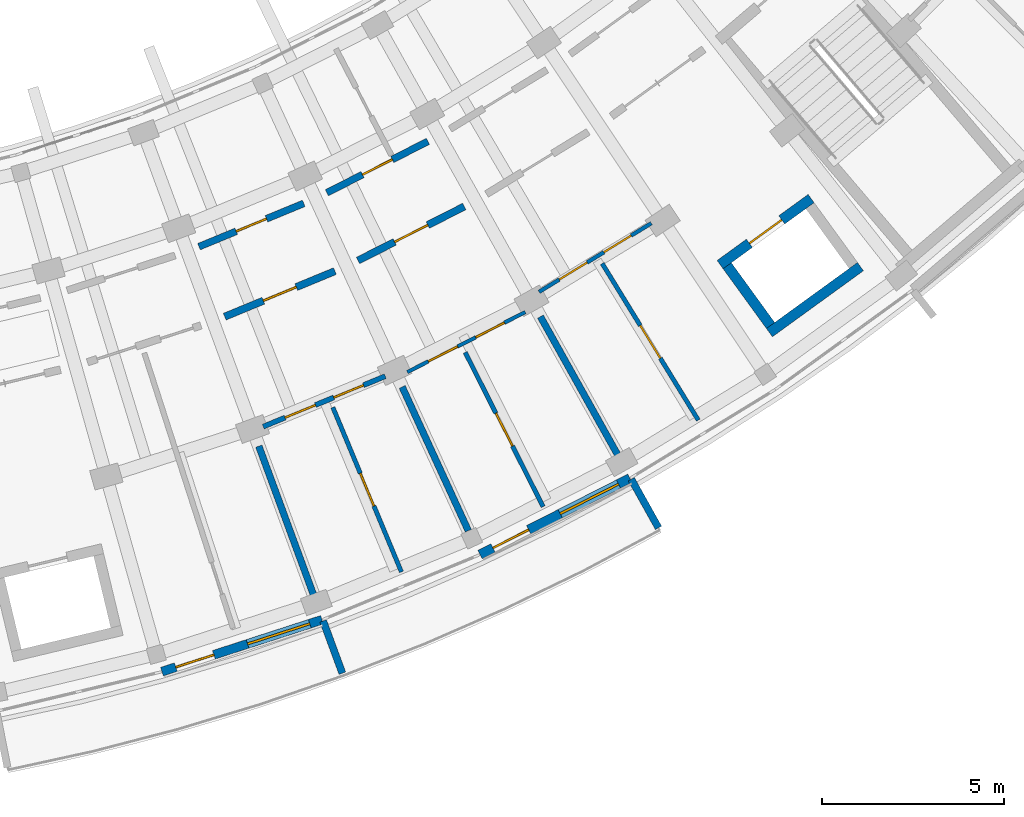
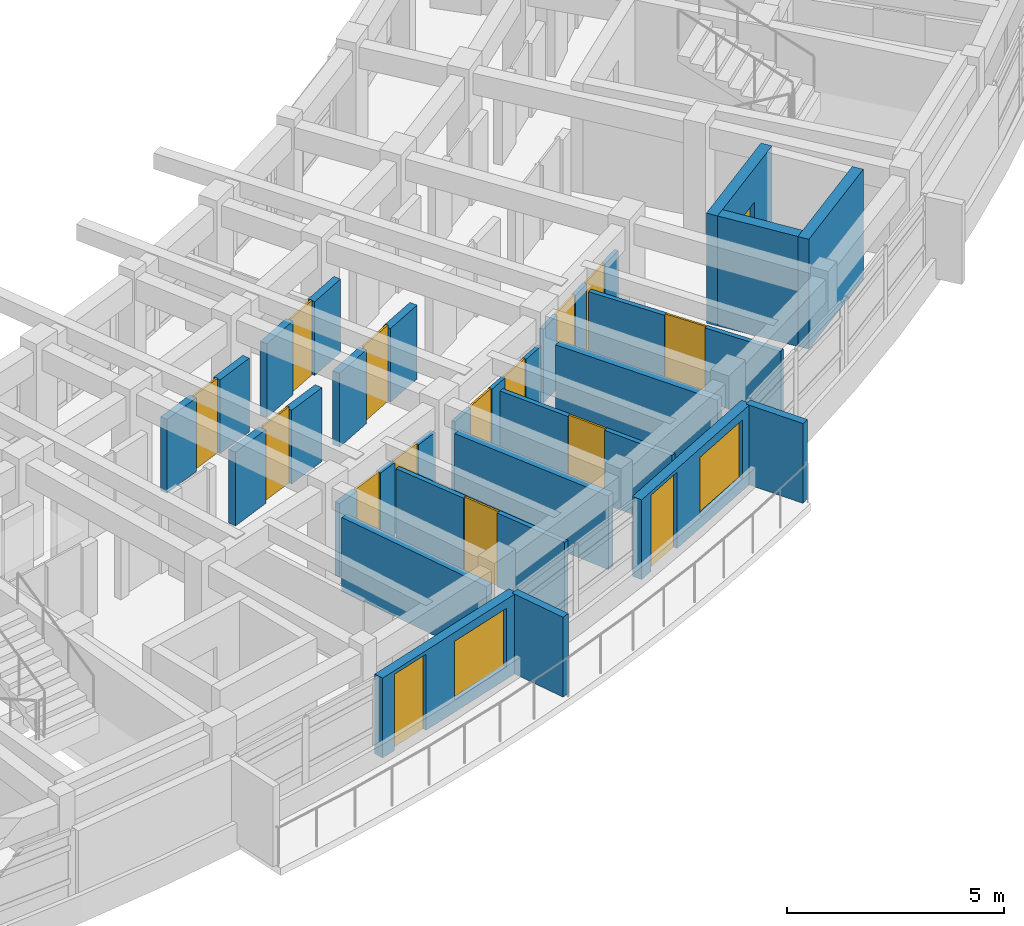
# One storey, part 39 of 55: 20 walls, 16 doors, 2 windows, 18 openings.
"""IFC4 building model written with IfcOpenShell, lengths in metres."""

from ifc_helpers import new_model, si_unit, direction, frame, frame_2d, origin, place, context, subcontext, project, spatial, rectangle, extrude, material, layer, layer_set, type_object, element, fill, save


model = new_model("IFC4")

# Units and contexts
model_context = context("Model", 3, precision=1e-05, world=origin(), true_north=direction((0.0, 1.0)))
body_context = subcontext(model_context, "Body", "Model", "MODEL_VIEW")
ifc_project = project(units=[si_unit("LENGTHUNIT", "METRE"), si_unit("AREAUNIT", "SQUARE_METRE"), si_unit("VOLUMEUNIT", "CUBIC_METRE"), si_unit("PLANEANGLEUNIT", "RADIAN"), si_unit("MASSUNIT", "GRAM", prefix="KILO")], contexts=[model_context])

# Site, building, storey
site_placement = place(None, origin())
site = spatial("IfcSite", under=ifc_project, at=site_placement, CompositionType="ELEMENT")
building_placement = place(site_placement, origin())
building = spatial("IfcBuilding", under=site, at=building_placement, Name="Zimvara Arc Housing Community", CompositionType="ELEMENT")
storey_placement = place(building_placement, frame((0.0, 0.0, 14.300048828125)))
storey = spatial("IfcBuildingStorey", under=building, at=storey_placement, Name="L04", CompositionType="ELEMENT", Elevation=14.300048828125)

# Walls
ifc_material_1 = material(Name="Board-Marked Fair-Faced Concrete C35/45", Category="concrete")
ifc_layer_1 = layer(ifc_material_1, 0.195068359375)
ifc_layer_set_1 = layer_set([ifc_layer_1], Name="Board-Marked Fair-Faced Concrete C35/45")
wall_type_1 = type_object("IfcWallType", Name="EWL-PARA-195", PredefinedType="PARAPET", material=ifc_layer_set_1)
for number, where, z_axis, x_axis, name in (
    (1, (146.49755859375, 54.0947265625, 0.0), (0.0, 0.0, 1.0), (0.345328180406, -0.938481991206, 0.0), "finwall:blkD:L04:out:b4"),
    (2, (154.968505859375, 57.990966796875, 0.0), (0.0, 0.0, 1.0), (0.487971560724, -0.872859528175, 0.0), "finwall:blkD:L04:out:b6"),
):
    element("IfcWall", number, at=place(storey_placement, frame(where, z_axis=z_axis, x_axis=x_axis)), inside=storey, type_object=wall_type_1, Name=name, PredefinedType="PARAPET", context=body_context, shape_type="SweptSolid", body=[
        extrude(rectangle(XDim=1.530029296875, YDim=0.195068359375, at=frame_2d((0.76513671875, 0.0))), origin(), (0.0, 0.0, 1.0), 2.25),
    ])

# Wall, openings, door, window
ifc_material_2 = material(Name="Board-Marked Fair-Faced Concrete C35/45", Category="concrete")
ifc_layer_2 = layer(ifc_material_2, 0.248046875)
ifc_layer_set_2 = layer_set([ifc_layer_2], Name="Board-Marked Fair-Faced Concrete C35/45")
wall_type_2 = type_object("IfcWallType", Name="EWL-VAR-17", PredefinedType="SOLIDWALL", material=ifc_layer_set_2)
wall_1_placement = place(storey_placement, frame((142.0673828125, 52.701416015625, 0.0), z_axis=(0.0, 0.0, 1.0), x_axis=(0.951311584867, 0.308230868826, 0.0)))
wall_1 = element("IfcWall", 3, at=wall_1_placement, inside=storey, type_object=wall_type_2, Name="ewall:blkD:L04:out:b3", PredefinedType="SOLIDWALL", context=body_context, shape_type="SweptSolid", body=[
    extrude(rectangle(XDim=4.62255859375, YDim=0.248046875, at=frame_2d((2.311279296875, 0.0))), origin(), (0.0, 0.0, 1.0), 2.25),
])
opening_1_placement = place(wall_1_placement, frame((0.39990234375, 0.0, 0.0)))
opening_1 = element("IfcOpeningElement", 4, at=opening_1_placement, cuts=wall_1, Name="Opening ED06", PredefinedType="OPENING", context=body_context, shape_type="SweptSolid", body=[
    extrude(rectangle(XDim=1.10009765625, YDim=2.14990234375, at=frame_2d((0.550048828125, 1.074951171875))), frame((0.0, 0.134033203125, 0.0), z_axis=(0.0, -1.0, 0.0), x_axis=(1.0, 0.0, 0.0)), (0.0, 0.0, 1.0), 0.26806640625),
])
opening_2_placement = place(wall_1_placement, frame((2.472412109375, 0.0, 0.35009765625)))
opening_2 = element("IfcOpeningElement", 5, at=opening_2_placement, cuts=wall_1, Name="Opening W08", PredefinedType="OPENING", context=body_context, shape_type="SweptSolid", body=[
    extrude(rectangle(XDim=1.800048828125, YDim=1.64990234375, at=frame_2d((0.89990234375, 0.824951171875))), frame((0.0, 0.134033203125, 0.0), z_axis=(0.0, -1.0, 0.0), x_axis=(1.0, 0.0, 0.0)), (0.0, 0.0, 1.0), 0.26806640625),
])
ifc_material_3 = material(Name="Anodised Aluminium AW-6063", Category="aluminium")
door_type_1 = type_object("IfcDoorType", Name="EDR-TERR-1100x2150", OperationType="NOTDEFINED", PredefinedType="DOOR", material=ifc_material_3)
door_1_placement = place(opening_1_placement, origin())
door_1 = element("IfcDoor", 6, at=door_1_placement, inside=storey, type_object=door_type_1, Name="edoor:blkD:L04:bal_out:b3", OperationType="SINGLE_SWING_LEFT", OverallHeight=2.14990234375, OverallWidth=1.10009765625, PredefinedType="DOOR", context=body_context, shape_type="SweptSolid", body=[
    extrude(rectangle(XDim=1.10009765625, YDim=2.14990234375, at=frame_2d((0.550048828125, 1.074951171875))), frame((0.0, 0.02490234375, 0.0), z_axis=(0.0, -1.0, 0.0), x_axis=(1.0, 0.0, 0.0)), (0.0, 0.0, 1.0), 0.050048828125),
])
fill(opening_1, door_1)
ifc_material_4 = material(Name="Solar Control Low-E Double Glazing", Category="glass")
window_type = type_object("IfcWindowType", Name="WIN-RES-1800x1650", PartitioningType="TRIPLE_PANEL_VERTICAL", PredefinedType="WINDOW", material=ifc_material_4)
window_1_placement = place(opening_2_placement, origin())
window_1 = element("IfcWindow", 7, at=window_1_placement, inside=storey, type_object=window_type, Name="win:blkD:L04:out:b3:balw", OverallHeight=1.64990234375, OverallWidth=1.800048828125, PartitioningType="TRIPLE_PANEL_VERTICAL", PredefinedType="WINDOW", context=body_context, shape_type="SweptSolid", body=[
    extrude(rectangle(XDim=1.800048828125, YDim=1.64990234375, at=frame_2d((0.89990234375, 0.824951171875))), frame((0.0, 0.030029296875, 0.0), z_axis=(0.0, -1.0, 0.0), x_axis=(1.0, 0.0, 0.0)), (0.0, 0.0, 1.0), 0.06005859375),
])
fill(opening_2, window_1)

ifc_material_5 = material(Name="Board-Marked Fair-Faced Concrete C35/45", Category="concrete")
ifc_layer_3 = layer(ifc_material_5, 0.258056640625)
ifc_layer_set_3 = layer_set([ifc_layer_3], Name="Board-Marked Fair-Faced Concrete C35/45")
wall_type_3 = type_object("IfcWallType", Name="EWL-VAR-19", PredefinedType="SOLIDWALL", material=ifc_layer_set_3)
wall_2_placement = place(storey_placement, frame((150.810791015625, 55.921875, 0.0), z_axis=(0.0, 0.0, 1.0), x_axis=(0.891407190547, 0.453203288428, 0.0)))
wall_2 = element("IfcWall", 8, at=wall_2_placement, inside=storey, type_object=wall_type_3, Name="ewall:blkD:L04:out:b5", PredefinedType="SOLIDWALL", context=body_context, shape_type="SweptSolid", body=[
    extrude(rectangle(XDim=4.62255859375, YDim=0.258056640625, at=frame_2d((2.311279296875, 0.0))), origin(), (0.0, 0.0, 1.0), 2.25),
])
opening_3_placement = place(wall_2_placement, frame((0.39990234375, 0.0, 0.0)))
opening_3 = element("IfcOpeningElement", 9, at=opening_3_placement, cuts=wall_2, Name="Opening ED06", PredefinedType="OPENING", context=body_context, shape_type="SweptSolid", body=[
    extrude(rectangle(XDim=1.10009765625, YDim=2.14990234375, at=frame_2d((0.550048828125, 1.074951171875))), frame((0.0, 0.138916015625, 0.0), z_axis=(0.0, -1.0, 0.0), x_axis=(1.0, 0.0, 0.0)), (0.0, 0.0, 1.0), 0.278076171875),
])
opening_4_placement = place(wall_2_placement, frame((2.472412109375, 0.0, 0.35009765625)))
opening_4 = element("IfcOpeningElement", 10, at=opening_4_placement, cuts=wall_2, Name="Opening W08", PredefinedType="OPENING", context=body_context, shape_type="SweptSolid", body=[
    extrude(rectangle(XDim=1.800048828125, YDim=1.64990234375, at=frame_2d((0.89990234375, 0.824951171875))), frame((0.0, 0.138916015625, 0.0), z_axis=(0.0, -1.0, 0.0), x_axis=(1.0, 0.0, 0.0)), (0.0, 0.0, 1.0), 0.278076171875),
])
door_2_placement = place(opening_3_placement, origin())
door_2 = element("IfcDoor", 11, at=door_2_placement, inside=storey, type_object=door_type_1, Name="edoor:blkD:L04:bal_out:b5", OperationType="SINGLE_SWING_LEFT", OverallHeight=2.14990234375, OverallWidth=1.10009765625, PredefinedType="DOOR", context=body_context, shape_type="SweptSolid", body=[
    extrude(rectangle(XDim=1.10009765625, YDim=2.14990234375, at=frame_2d((0.550048828125, 1.074951171875))), frame((0.0, 0.02490234375, 0.0), z_axis=(0.0, -1.0, 0.0), x_axis=(1.0, 0.0, 0.0)), (0.0, 0.0, 1.0), 0.050048828125),
])
fill(opening_3, door_2)
window_2_placement = place(opening_4_placement, origin())
window_2 = element("IfcWindow", 12, at=window_2_placement, inside=storey, type_object=window_type, Name="win:blkD:L04:out:b5:balw", OverallHeight=1.64990234375, OverallWidth=1.800048828125, PartitioningType="TRIPLE_PANEL_VERTICAL", PredefinedType="WINDOW", context=body_context, shape_type="SweptSolid", body=[
    extrude(rectangle(XDim=1.800048828125, YDim=1.64990234375, at=frame_2d((0.89990234375, 0.824951171875))), frame((0.0, 0.030029296875, 0.0), z_axis=(0.0, -1.0, 0.0), x_axis=(1.0, 0.0, 0.0)), (0.0, 0.0, 1.0), 0.06005859375),
])
fill(opening_4, window_2)

# Wall, opening, door
ifc_material_6 = material(Name="Concrete C35/45", Category="concrete")
ifc_layer_4 = layer(ifc_material_6, 0.18994140625)
ifc_layer_set_4 = layer_set([ifc_layer_4], Name="Concrete C35/45")
wall_type_4 = type_object("IfcWallType", Name="IWL-CORR-190", PredefinedType="SOLIDWALL", material=ifc_layer_set_4)
wall_3_placement = place(storey_placement, frame((143.0849609375, 64.3828125, 0.0), z_axis=(0.0, 0.0, 1.0), x_axis=(0.924213340202, 0.381876553081, 0.0)))
wall_3 = element("IfcWall", 13, at=wall_3_placement, inside=storey, type_object=wall_type_4, Name="iwall:blkD:L04:corr_in:b4", PredefinedType="SOLIDWALL", context=body_context, shape_type="SweptSolid", body=[
    extrude(rectangle(XDim=3.115966796875, YDim=0.18994140625, at=frame_2d((1.55810546875, 0.0))), origin(), (0.0, 0.0, 1.0), 2.079833984375),
])
opening_5_placement = place(wall_3_placement, frame((1.10791015625, 0.0, 0.0)))
opening_5 = element("IfcOpeningElement", 14, at=opening_5_placement, cuts=wall_3, Name="Opening D01", PredefinedType="OPENING", context=body_context, shape_type="SweptSolid", body=[
    extrude(rectangle(XDim=0.89990234375, YDim=2.10009765625, at=frame_2d((0.449951171875, 1.050048828125))), frame((0.0, 0.10498046875, 0.0), z_axis=(0.0, -1.0, 0.0), x_axis=(1.0, 0.0, 0.0)), (0.0, 0.0, 1.0), 0.2099609375),
])
ifc_material_7 = material(Name="Mozambican Hardwood", Category="wood")
door_type_2 = type_object("IfcDoorType", Name="IDR-RM-0900x2100", OperationType="NOTDEFINED", PredefinedType="DOOR", material=ifc_material_7)
door_3_placement = place(opening_5_placement, origin())
door_3 = element("IfcDoor", 15, at=door_3_placement, inside=storey, type_object=door_type_2, Name="idoor:blkD:L04:in_rm:b4", OperationType="SINGLE_SWING_RIGHT", OverallHeight=2.10009765625, OverallWidth=0.89990234375, PredefinedType="DOOR", context=body_context, shape_type="SweptSolid", body=[
    extrude(rectangle(XDim=0.89990234375, YDim=2.10009765625, at=frame_2d((0.449951171875, 1.050048828125))), frame((0.0, 0.02490234375, 0.0), z_axis=(0.0, -1.0, 0.0), x_axis=(1.0, 0.0, 0.0)), (0.0, 0.0, 1.0), 0.050048828125),
])
fill(opening_5, door_3)

wall_4_placement = place(storey_placement, frame((146.600341796875, 65.865234375, 0.0), z_axis=(0.0, 0.0, 1.0), x_axis=(0.891414101388, 0.453189695212, 0.0)))
wall_4 = element("IfcWall", 16, at=wall_4_placement, inside=storey, type_object=wall_type_4, Name="iwall:blkD:L04:corr_in:b5", PredefinedType="SOLIDWALL", context=body_context, shape_type="SweptSolid", body=[
    extrude(rectangle(XDim=3.115966796875, YDim=0.18994140625, at=frame_2d((1.55810546875, 0.0))), origin(), (0.0, 0.0, 1.0), 2.079833984375),
])
opening_6_placement = place(wall_4_placement, frame((1.097900390625, 0.0, 0.0)))
opening_6 = element("IfcOpeningElement", 17, at=opening_6_placement, cuts=wall_4, Name="Opening D02", PredefinedType="OPENING", context=body_context, shape_type="SweptSolid", body=[
    extrude(rectangle(XDim=0.919921875, YDim=2.10009765625, at=frame_2d((0.4599609375, 1.050048828125))), frame((0.0, 0.10498046875, 0.0), z_axis=(0.0, -1.0, 0.0), x_axis=(1.0, 0.0, 0.0)), (0.0, 0.0, 1.0), 0.2099609375),
])
ifc_material_8 = material(Name="Mozambican Hardwood", Category="wood")
door_type_3 = type_object("IfcDoorType", Name="IDR-RM-0920x2100", OperationType="NOTDEFINED", PredefinedType="DOOR", material=ifc_material_8)
door_4_placement = place(opening_6_placement, origin())
door_4 = element("IfcDoor", 18, at=door_4_placement, inside=storey, type_object=door_type_3, Name="idoor:blkD:L04:in_rm:b5", OperationType="SINGLE_SWING_LEFT", OverallHeight=2.10009765625, OverallWidth=0.919921875, PredefinedType="DOOR", context=body_context, shape_type="SweptSolid", body=[
    extrude(rectangle(XDim=0.919921875, YDim=2.10009765625, at=frame_2d((0.4599609375, 1.050048828125))), frame((0.0, 0.02490234375, 0.0), z_axis=(0.0, -1.0, 0.0), x_axis=(1.0, 0.0, 0.0)), (0.0, 0.0, 1.0), 0.050048828125),
])
fill(opening_6, door_4)

ifc_material_9 = material(Name="Concrete C35/45", Category="concrete")
ifc_layer_5 = layer(ifc_material_9, 0.199951171875)
ifc_layer_set_5 = layer_set([ifc_layer_5], Name="Concrete C35/45")
wall_type_5 = type_object("IfcWallType", Name="IWL-CORR-200", PredefinedType="SOLIDWALL", material=ifc_layer_set_5)
wall_5_placement = place(storey_placement, frame((143.792724609375, 62.458984375, 0.0), z_axis=(0.0, 0.0, 1.0), x_axis=(0.924214561665, 0.381873596896, 0.0)))
wall_5 = element("IfcWall", 19, at=wall_5_placement, inside=storey, type_object=wall_type_5, Name="iwall:blkD:L04:corr_out:b4", PredefinedType="SOLIDWALL", context=body_context, shape_type="SweptSolid", body=[
    extrude(rectangle(XDim=3.277099609375, YDim=0.199951171875, at=frame_2d((1.638671875, 0.0))), origin(), (0.0, 0.0, 1.0), 2.079833984375),
])
opening_7_placement = place(wall_5_placement, frame((1.1484375, 0.0, 0.0)))
opening_7 = element("IfcOpeningElement", 20, at=opening_7_placement, cuts=wall_5, Name="Opening FD-FL1", PredefinedType="OPENING", context=body_context, shape_type="SweptSolid", body=[
    extrude(rectangle(XDim=0.97998046875, YDim=2.14990234375, at=frame_2d((0.489990234375, 1.074951171875))), frame((0.0, 0.10986328125, 0.0), z_axis=(0.0, -1.0, 0.0), x_axis=(1.0, 0.0, 0.0)), (0.0, 0.0, 1.0), 0.219970703125),
])
ifc_material_10 = material(Name="Mozambican Hardwood", Category="wood")
door_type_4 = type_object("IfcDoorType", Name="IDR-FLAT-0980x2150", OperationType="NOTDEFINED", PredefinedType="DOOR", material=ifc_material_10)
door_5_placement = place(opening_7_placement, origin())
door_5 = element("IfcDoor", 21, at=door_5_placement, inside=storey, type_object=door_type_4, Name="idoor:blkD:L04:flat:b4", OperationType="SINGLE_SWING_LEFT", OverallHeight=2.14990234375, OverallWidth=0.97998046875, PredefinedType="DOOR", context=body_context, shape_type="SweptSolid", body=[
    extrude(rectangle(XDim=0.97998046875, YDim=2.14990234375, at=frame_2d((0.489990234375, 1.074951171875))), frame((0.0, 0.02490234375, 0.0), z_axis=(0.0, -1.0, 0.0), x_axis=(1.0, 0.0, 0.0)), (0.0, 0.0, 1.0), 0.050048828125),
])
fill(opening_7, door_5)

wall_6_placement = place(storey_placement, frame((147.45703125, 64.002685546875, 0.0), z_axis=(0.0, 0.0, 1.0), x_axis=(0.891412167565, 0.45319349898, 0.0)))
wall_6 = element("IfcWall", 22, at=wall_6_placement, inside=storey, type_object=wall_type_5, Name="iwall:blkD:L04:corr_out:b5", PredefinedType="SOLIDWALL", context=body_context, shape_type="SweptSolid", body=[
    extrude(rectangle(XDim=3.277099609375, YDim=0.199951171875, at=frame_2d((1.638671875, 0.0))), origin(), (0.0, 0.0, 1.0), 2.079833984375),
])
opening_8_placement = place(wall_6_placement, frame((1.12841796875, 0.0, 0.0)))
opening_8 = element("IfcOpeningElement", 23, at=opening_8_placement, cuts=wall_6, Name="Opening FD-FL2", PredefinedType="OPENING", context=body_context, shape_type="SweptSolid", body=[
    extrude(rectangle(XDim=1.02001953125, YDim=2.14990234375, at=frame_2d((0.510009765625, 1.074951171875))), frame((0.0, 0.10986328125, 0.0), z_axis=(0.0, -1.0, 0.0), x_axis=(1.0, 0.0, 0.0)), (0.0, 0.0, 1.0), 0.219970703125),
])
ifc_material_11 = material(Name="Mozambican Hardwood", Category="wood")
door_type_5 = type_object("IfcDoorType", Name="IDR-FLAT-1020x2150", OperationType="NOTDEFINED", PredefinedType="DOOR", material=ifc_material_11)
door_6_placement = place(opening_8_placement, origin())
door_6 = element("IfcDoor", 24, at=door_6_placement, inside=storey, type_object=door_type_5, Name="idoor:blkD:L04:flat:b5", OperationType="SINGLE_SWING_RIGHT", OverallHeight=2.14990234375, OverallWidth=1.02001953125, PredefinedType="DOOR", context=body_context, shape_type="SweptSolid", body=[
    extrude(rectangle(XDim=1.02001953125, YDim=2.14990234375, at=frame_2d((0.510009765625, 1.074951171875))), frame((0.0, 0.02490234375, 0.0), z_axis=(0.0, -1.0, 0.0), x_axis=(1.0, 0.0, 0.0)), (0.0, 0.0, 1.0), 0.050048828125),
])
fill(opening_8, door_6)

# Walls
ifc_material_12 = material(Name="Concrete C35/45", Category="concrete")
ifc_layer_6 = layer(ifc_material_12, 0.18505859375)
ifc_layer_set_6 = layer_set([ifc_layer_6], Name="Concrete C35/45")
wall_type_6 = type_object("IfcWallType", Name="IWL-FLAT-185", PredefinedType="SOLIDWALL", material=ifc_layer_set_6)
for number, where, z_axis, x_axis, name in (
    (25, (144.729736328125, 58.89990234375, 0.0), (0.0, 0.0, 1.0), (0.345273579683, -0.938502080537, 0.0), "iwall:blkD:L04:party:b4"),
    (26, (148.670166015625, 60.528076171875, 0.0), (0.0, 0.0, 1.0), (0.417837051164, -0.908521985796, 0.0), "iwall:blkD:L04:party:b5"),
    (27, (152.470703125, 62.46044921875, 0.0), (0.0, 0.0, 1.0), (0.487866639184, -0.872918176218, 0.0), "iwall:blkD:L04:party:b6"),
):
    element("IfcWall", number, at=place(storey_placement, frame(where, z_axis=z_axis, x_axis=x_axis)), inside=storey, type_object=wall_type_6, Name=name, PredefinedType="SOLIDWALL", context=body_context, shape_type="SweptSolid", body=[
        extrude(rectangle(XDim=4.35009765625, YDim=0.18505859375, at=frame_2d((2.175048828125, 0.0))), origin(), (0.0, 0.0, 1.0), 2.079833984375),
    ])

# Wall, openings, doors
ifc_material_13 = material(Name="Painted Acoustic Plasterboard")
ifc_layer_7 = layer(ifc_material_13, 0.10009765625)
ifc_layer_set_7 = layer_set([ifc_layer_7], Name="Painted Acoustic Plasterboard")
wall_type_7 = type_object("IfcWallType", Name="IWL-PART-100", PredefinedType="PARTITIONING", material=ifc_layer_set_7)
wall_7_placement = place(storey_placement, frame((148.812255859375, 60.9365234375, 0.0), z_axis=(0.0, 0.0, 1.0), x_axis=(0.89140212369, 0.453213254309, 0.0)))
wall_7 = element("IfcWall", 28, at=wall_7_placement, inside=storey, type_object=wall_type_7, Name="iwall:blkD:L04:srv:b5", PredefinedType="PARTITIONING", context=body_context, shape_type="SweptSolid", body=[
    extrude(rectangle(XDim=3.639892578125, YDim=0.10009765625, at=frame_2d((1.81982421875, 0.0))), origin(), (0.0, 0.0, 1.0), 2.079833984375),
])
opening_9_placement = place(wall_7_placement, frame((0.64990234375, 0.0, 0.0)))
opening_9 = element("IfcOpeningElement", 29, at=opening_9_placement, cuts=wall_7, Name="Opening D01", PredefinedType="OPENING", context=body_context, shape_type="SweptSolid", body=[
    extrude(rectangle(XDim=0.89990234375, YDim=2.10009765625, at=frame_2d((0.449951171875, 1.050048828125))), frame((0.0, 0.06005859375, 0.0), z_axis=(0.0, -1.0, 0.0), x_axis=(1.0, 0.0, 0.0)), (0.0, 0.0, 1.0), 0.1201171875),
])
opening_10_placement = place(wall_7_placement, frame((2.110107421875, 0.0, 0.0)))
opening_10 = element("IfcOpeningElement", 30, at=opening_10_placement, cuts=wall_7, Name="Opening D05", PredefinedType="OPENING", context=body_context, shape_type="SweptSolid", body=[
    extrude(rectangle(XDim=0.8798828125, YDim=2.10009765625, at=frame_2d((0.43994140625, 1.050048828125))), frame((0.0, 0.06005859375, 0.0), z_axis=(0.0, -1.0, 0.0), x_axis=(1.0, 0.0, 0.0)), (0.0, 0.0, 1.0), 0.1201171875),
])
door_7_placement = place(opening_9_placement, origin())
door_7 = element("IfcDoor", 31, at=door_7_placement, inside=storey, type_object=door_type_2, Name="idoor:blkD:L04:kit_liv:b5", OperationType="SINGLE_SWING_LEFT", OverallHeight=2.10009765625, OverallWidth=0.89990234375, PredefinedType="DOOR", context=body_context, shape_type="SweptSolid", body=[
    extrude(rectangle(XDim=0.89990234375, YDim=2.10009765625, at=frame_2d((0.449951171875, 1.050048828125))), frame((0.0, 0.02490234375, 0.0), z_axis=(0.0, -1.0, 0.0), x_axis=(1.0, 0.0, 0.0)), (0.0, 0.0, 1.0), 0.050048828125),
])
fill(opening_9, door_7)
ifc_material_14 = material(Name="Mozambican Hardwood", Category="wood")
door_type_6 = type_object("IfcDoorType", Name="IDR-WC-0880x2100", OperationType="NOTDEFINED", PredefinedType="DOOR", material=ifc_material_14)
door_8_placement = place(opening_10_placement, origin())
door_8 = element("IfcDoor", 32, at=door_8_placement, inside=storey, type_object=door_type_6, Name="idoor:blkD:L04:bath_d:b5", OperationType="SINGLE_SWING_RIGHT", OverallHeight=2.10009765625, OverallWidth=0.8798828125, PredefinedType="DOOR", context=body_context, shape_type="SweptSolid", body=[
    extrude(rectangle(XDim=0.8798828125, YDim=2.10009765625, at=frame_2d((0.43994140625, 1.050048828125))), frame((0.0, 0.02490234375, 0.0), z_axis=(0.0, -1.0, 0.0), x_axis=(1.0, 0.0, 0.0)), (0.0, 0.0, 1.0), 0.050048828125),
])
fill(opening_10, door_8)

ifc_material_15 = material(Name="Painted Acoustic Plasterboard")
ifc_layer_8 = layer(ifc_material_15, 0.10498046875)
ifc_layer_set_8 = layer_set([ifc_layer_8], Name="Painted Acoustic Plasterboard")
wall_type_8 = type_object("IfcWallType", Name="IWL-PART-105", PredefinedType="PARTITIONING", material=ifc_layer_set_8)
wall_8_placement = place(storey_placement, frame((152.43408203125, 63.140625, 0.0), z_axis=(0.0, 0.0, 1.0), x_axis=(0.853089873067, 0.521763996909, 0.0)))
wall_8 = element("IfcWall", 33, at=wall_8_placement, inside=storey, type_object=wall_type_8, Name="iwall:blkD:L04:srv:b6", PredefinedType="PARTITIONING", context=body_context, shape_type="SweptSolid", body=[
    extrude(rectangle(XDim=3.616455078125, YDim=0.10498046875, at=frame_2d((1.80810546875, 0.0))), origin(), (0.0, 0.0, 1.0), 2.079833984375),
])
opening_11_placement = place(wall_8_placement, frame((0.64990234375, 0.0, 0.0)))
opening_11 = element("IfcOpeningElement", 34, at=opening_11_placement, cuts=wall_8, Name="Opening D01", PredefinedType="OPENING", context=body_context, shape_type="SweptSolid", body=[
    extrude(rectangle(XDim=0.89990234375, YDim=2.10009765625, at=frame_2d((0.449951171875, 1.050048828125))), frame((0.0, 0.0625, 0.0), z_axis=(0.0, -1.0, 0.0), x_axis=(1.0, 0.0, 0.0)), (0.0, 0.0, 1.0), 0.125),
])
opening_12_placement = place(wall_8_placement, frame((2.08642578125, 0.0, 0.0)))
opening_12 = element("IfcOpeningElement", 35, at=opening_12_placement, cuts=wall_8, Name="Opening D05", PredefinedType="OPENING", context=body_context, shape_type="SweptSolid", body=[
    extrude(rectangle(XDim=0.8798828125, YDim=2.10009765625, at=frame_2d((0.43994140625, 1.050048828125))), frame((0.0, 0.0625, 0.0), z_axis=(0.0, -1.0, 0.0), x_axis=(1.0, 0.0, 0.0)), (0.0, 0.0, 1.0), 0.125),
])
door_9_placement = place(opening_11_placement, origin())
door_9 = element("IfcDoor", 36, at=door_9_placement, inside=storey, type_object=door_type_2, Name="idoor:blkD:L04:kit_liv:b6", OperationType="SINGLE_SWING_RIGHT", OverallHeight=2.10009765625, OverallWidth=0.89990234375, PredefinedType="DOOR", context=body_context, shape_type="SweptSolid", body=[
    extrude(rectangle(XDim=0.89990234375, YDim=2.10009765625, at=frame_2d((0.449951171875, 1.050048828125))), frame((0.0, 0.02490234375, 0.0), z_axis=(0.0, -1.0, 0.0), x_axis=(1.0, 0.0, 0.0)), (0.0, 0.0, 1.0), 0.050048828125),
])
fill(opening_11, door_9)
door_10_placement = place(opening_12_placement, origin())
door_10 = element("IfcDoor", 37, at=door_10_placement, inside=storey, type_object=door_type_6, Name="idoor:blkD:L04:bath_d:b6", OperationType="SINGLE_SWING_LEFT", OverallHeight=2.10009765625, OverallWidth=0.8798828125, PredefinedType="DOOR", context=body_context, shape_type="SweptSolid", body=[
    extrude(rectangle(XDim=0.8798828125, YDim=2.10009765625, at=frame_2d((0.43994140625, 1.050048828125))), frame((0.0, 0.02490234375, 0.0), z_axis=(0.0, -1.0, 0.0), x_axis=(1.0, 0.0, 0.0)), (0.0, 0.0, 1.0), 0.050048828125),
])
fill(opening_12, door_10)

# Wall, opening, door
ifc_material_16 = material(Name="Painted Acoustic Plasterboard")
ifc_layer_9 = layer(ifc_material_16, 0.1201171875)
ifc_layer_set_9 = layer_set([ifc_layer_9], Name="Painted Acoustic Plasterboard")
wall_type_9 = type_object("IfcWallType", Name="IWL-PART-120", PredefinedType="PARTITIONING", material=ifc_layer_set_9)
wall_9_placement = place(storey_placement, frame((146.7646484375, 59.966064453125, 0.0), z_axis=(0.0, 0.0, 1.0), x_axis=(0.384548164276, -0.923104928679, 0.0)))
wall_9 = element("IfcWall", 38, at=wall_9_placement, inside=storey, type_object=wall_type_9, Name="iwall:blkD:L04:bed_div:b4", PredefinedType="PARTITIONING", context=body_context, shape_type="SweptSolid", body=[
    extrude(rectangle(XDim=4.89990234375, YDim=0.1201171875, at=frame_2d((2.449951171875, 0.0))), origin(), (0.0, 0.0, 1.0), 2.079833984375),
])
opening_13_placement = place(wall_9_placement, frame((1.965087890625, 0.0, 0.0)))
opening_13 = element("IfcOpeningElement", 39, at=opening_13_placement, cuts=wall_9, Name="Opening D14", PredefinedType="OPENING", context=body_context, shape_type="SweptSolid", body=[
    extrude(rectangle(XDim=0.969970703125, YDim=2.10009765625, at=frame_2d((0.48486328125, 1.050048828125))), frame((0.0, 0.070068359375, 0.0), z_axis=(0.0, -1.0, 0.0), x_axis=(1.0, 0.0, 0.0)), (0.0, 0.0, 1.0), 0.14013671875),
])
ifc_material_17 = material(Name="Mozambican Hardwood", Category="wood")
door_type_7 = type_object("IfcDoorType", Name="IDR-MOD-970x2080", OperationType="NOTDEFINED", PredefinedType="DOOR", material=ifc_material_17)
door_11_placement = place(opening_13_placement, origin())
door_11 = element("IfcDoor", 40, at=door_11_placement, inside=storey, type_object=door_type_7, Name="idoor:blkD:L04:bed_d:b4", OperationType="SINGLE_SWING_LEFT", OverallHeight=2.10009765625, OverallWidth=0.969970703125, PredefinedType="DOOR", context=body_context, shape_type="SweptSolid", body=[
    extrude(rectangle(XDim=0.969970703125, YDim=2.10009765625, at=frame_2d((0.48486328125, 1.050048828125))), frame((0.0, 0.02490234375, 0.0), z_axis=(0.0, -1.0, 0.0), x_axis=(1.0, 0.0, 0.0)), (0.0, 0.0, 1.0), 0.050048828125),
])
fill(opening_13, door_11)

wall_10_placement = place(storey_placement, frame((150.404296875, 61.47509765625, 0.0), z_axis=(0.0, 0.0, 1.0), x_axis=(0.450664257057, -0.892693523787, 0.0)))
wall_10 = element("IfcWall", 41, at=wall_10_placement, inside=storey, type_object=wall_type_9, Name="iwall:blkD:L04:bed_div:b5", PredefinedType="PARTITIONING", context=body_context, shape_type="SweptSolid", body=[
    extrude(rectangle(XDim=4.75, YDim=0.1201171875, at=frame_2d((2.375, 0.0))), origin(), (0.0, 0.0, 1.0), 2.079833984375),
])
opening_14_placement = place(wall_10_placement, frame((1.8701171875, 0.0, 0.0)))
opening_14 = element("IfcOpeningElement", 42, at=opening_14_placement, cuts=wall_10, Name="Opening D15", PredefinedType="OPENING", context=body_context, shape_type="SweptSolid", body=[
    extrude(rectangle(XDim=1.010009765625, YDim=2.10009765625, at=frame_2d((0.5048828125, 1.050048828125))), frame((0.0, 0.070068359375, 0.0), z_axis=(0.0, -1.0, 0.0), x_axis=(1.0, 0.0, 0.0)), (0.0, 0.0, 1.0), 0.14013671875),
])
ifc_material_18 = material(Name="Mozambican Hardwood", Category="wood")
door_type_8 = type_object("IfcDoorType", Name="IDR-MOD-1010x2160", OperationType="NOTDEFINED", PredefinedType="DOOR", material=ifc_material_18)
door_12_placement = place(opening_14_placement, origin())
door_12 = element("IfcDoor", 43, at=door_12_placement, inside=storey, type_object=door_type_8, Name="idoor:blkD:L04:bed_d:b5", OperationType="SINGLE_SWING_LEFT", OverallHeight=2.10009765625, OverallWidth=1.010009765625, PredefinedType="DOOR", context=body_context, shape_type="SweptSolid", body=[
    extrude(rectangle(XDim=1.010009765625, YDim=2.10009765625, at=frame_2d((0.5048828125, 1.050048828125))), frame((0.0, 0.02490234375, 0.0), z_axis=(0.0, -1.0, 0.0), x_axis=(1.0, 0.0, 0.0)), (0.0, 0.0, 1.0), 0.050048828125),
])
fill(opening_14, door_12)

wall_11_placement = place(storey_placement, frame((154.1689453125, 63.9189453125, 0.0), z_axis=(0.0, 0.0, 1.0), x_axis=(0.522980301869, -0.852344768188, 0.0)))
wall_11 = element("IfcWall", 44, at=wall_11_placement, inside=storey, type_object=wall_type_9, Name="iwall:blkD:L04:bed_div:b6", PredefinedType="PARTITIONING", context=body_context, shape_type="SweptSolid", body=[
    extrude(rectangle(XDim=5.050048828125, YDim=0.1201171875, at=frame_2d((2.52490234375, 0.0))), origin(), (0.0, 0.0, 1.0), 2.079833984375),
])
opening_15_placement = place(wall_11_placement, frame((1.9951171875, 0.0, 0.0)))
opening_15 = element("IfcOpeningElement", 45, at=opening_15_placement, cuts=wall_11, Name="Opening D16", PredefinedType="OPENING", context=body_context, shape_type="SweptSolid", body=[
    extrude(rectangle(XDim=1.06005859375, YDim=2.10009765625, at=frame_2d((0.530029296875, 1.050048828125))), frame((0.0, 0.070068359375, 0.0), z_axis=(0.0, -1.0, 0.0), x_axis=(1.0, 0.0, 0.0)), (0.0, 0.0, 1.0), 0.14013671875),
])
ifc_material_19 = material(Name="Mozambican Hardwood", Category="wood")
door_type_9 = type_object("IfcDoorType", Name="IDR-MOD-1060x2220", OperationType="NOTDEFINED", PredefinedType="DOOR", material=ifc_material_19)
door_13_placement = place(opening_15_placement, origin())
door_13 = element("IfcDoor", 46, at=door_13_placement, inside=storey, type_object=door_type_9, Name="idoor:blkD:L04:bed_d:b6", OperationType="SINGLE_SWING_RIGHT", OverallHeight=2.10009765625, OverallWidth=1.06005859375, PredefinedType="DOOR", context=body_context, shape_type="SweptSolid", body=[
    extrude(rectangle(XDim=1.06005859375, YDim=2.10009765625, at=frame_2d((0.530029296875, 1.050048828125))), frame((0.0, 0.02490234375, 0.0), z_axis=(0.0, -1.0, 0.0), x_axis=(1.0, 0.0, 0.0)), (0.0, 0.0, 1.0), 0.050048828125),
])
fill(opening_15, door_13)

# Wall, openings, doors
ifc_material_20 = material(Name="Painted Acoustic Plasterboard")
ifc_layer_10 = layer(ifc_material_20, 0.139892578125)
ifc_layer_set_10 = layer_set([ifc_layer_10], Name="Painted Acoustic Plasterboard")
wall_type_10 = type_object("IfcWallType", Name="IWL-PART-140", PredefinedType="PARTITIONING", material=ifc_layer_set_10)
wall_12_placement = place(storey_placement, frame((144.8515625, 59.436767578125, 0.0), z_axis=(0.0, 0.0, 1.0), x_axis=(0.924217547919, 0.381866369453, 0.0)))
wall_12 = element("IfcWall", 47, at=wall_12_placement, inside=storey, type_object=wall_type_10, Name="iwall:blkD:L04:srv:b4", PredefinedType="PARTITIONING", context=body_context, shape_type="SweptSolid", body=[
    extrude(rectangle(XDim=3.628173828125, YDim=0.139892578125, at=frame_2d((1.81396484375, 0.0))), origin(), (0.0, 0.0, 1.0), 2.079833984375),
])
opening_16_placement = place(wall_12_placement, frame((0.64990234375, 0.0, 0.0)))
opening_16 = element("IfcOpeningElement", 48, at=opening_16_placement, cuts=wall_12, Name="Opening D01", PredefinedType="OPENING", context=body_context, shape_type="SweptSolid", body=[
    extrude(rectangle(XDim=0.89990234375, YDim=2.10009765625, at=frame_2d((0.449951171875, 1.050048828125))), frame((0.0, 0.079833984375, 0.0), z_axis=(0.0, -1.0, 0.0), x_axis=(1.0, 0.0, 0.0)), (0.0, 0.0, 1.0), 0.159912109375),
])
opening_17_placement = place(wall_12_placement, frame((2.098388671875, 0.0, 0.0)))
opening_17 = element("IfcOpeningElement", 49, at=opening_17_placement, cuts=wall_12, Name="Opening D05", PredefinedType="OPENING", context=body_context, shape_type="SweptSolid", body=[
    extrude(rectangle(XDim=0.8798828125, YDim=2.10009765625, at=frame_2d((0.43994140625, 1.050048828125))), frame((0.0, 0.079833984375, 0.0), z_axis=(0.0, -1.0, 0.0), x_axis=(1.0, 0.0, 0.0)), (0.0, 0.0, 1.0), 0.159912109375),
])
door_14_placement = place(opening_16_placement, origin())
door_14 = element("IfcDoor", 50, at=door_14_placement, inside=storey, type_object=door_type_2, Name="idoor:blkD:L04:kit_liv:b4", OperationType="SINGLE_SWING_LEFT", OverallHeight=2.10009765625, OverallWidth=0.89990234375, PredefinedType="DOOR", context=body_context, shape_type="SweptSolid", body=[
    extrude(rectangle(XDim=0.89990234375, YDim=2.10009765625, at=frame_2d((0.449951171875, 1.050048828125))), frame((0.0, 0.02490234375, 0.0), z_axis=(0.0, -1.0, 0.0), x_axis=(1.0, 0.0, 0.0)), (0.0, 0.0, 1.0), 0.050048828125),
])
fill(opening_16, door_14)
door_15_placement = place(opening_17_placement, origin())
door_15 = element("IfcDoor", 51, at=door_15_placement, inside=storey, type_object=door_type_6, Name="idoor:blkD:L04:bath_d:b4", OperationType="SINGLE_SWING_RIGHT", OverallHeight=2.10009765625, OverallWidth=0.8798828125, PredefinedType="DOOR", context=body_context, shape_type="SweptSolid", body=[
    extrude(rectangle(XDim=0.8798828125, YDim=2.10009765625, at=frame_2d((0.43994140625, 1.050048828125))), frame((0.0, 0.02490234375, 0.0), z_axis=(0.0, -1.0, 0.0), x_axis=(1.0, 0.0, 0.0)), (0.0, 0.0, 1.0), 0.050048828125),
])
fill(opening_17, door_15)

# Wall, opening, door
ifc_material_21 = material(Name="Concrete C40/50", Category="concrete")
ifc_layer_11 = layer(ifc_material_21, 0.280029296875)
ifc_layer_set_11 = layer_set([ifc_layer_11], Name="Concrete C40/50")
wall_type_11 = type_object("IfcWallType", Name="WL-CORE-280", PredefinedType="SHEAR", material=ifc_layer_set_11)
wall_13_placement = place(storey_placement, frame((157.408935546875, 63.890380859375, 0.0), z_axis=(0.0, 0.0, 1.0), x_axis=(0.809510936031, 0.587104798521, 0.0)))
wall_13 = element("IfcWall", 52, at=wall_13_placement, inside=storey, type_object=wall_type_11, Name="lwall:LP-D2:L04:front", PredefinedType="SHEAR", context=body_context, shape_type="SweptSolid", body=[
    extrude(rectangle(XDim=3.090087890625, YDim=0.280029296875, at=frame_2d((1.544921875, 0.0))), origin(), (0.0, 0.0, 1.0), 3.099853515625),
])
opening_18_placement = place(wall_13_placement, frame((0.9951171875, 0.0, 0.0)))
opening_18 = element("IfcOpeningElement", 53, at=opening_18_placement, cuts=wall_13, Name="Opening LD-LP-D2", PredefinedType="OPENING", context=body_context, shape_type="SweptSolid", body=[
    extrude(rectangle(XDim=1.10009765625, YDim=2.14990234375, at=frame_2d((0.550048828125, 1.074951171875))), frame((0.0, 0.14990234375, 0.0), z_axis=(0.0, -1.0, 0.0), x_axis=(1.0, 0.0, 0.0)), (0.0, 0.0, 1.0), 0.300048828125),
])
ifc_material_22 = material(Name="Anodised Aluminium AW-6063", Category="aluminium")
door_type_10 = type_object("IfcDoorType", Name="IDR-LD-1100x2150", OperationType="DOUBLE_DOOR_SLIDING", PredefinedType="DOOR", material=ifc_material_22)
door_16_placement = place(opening_18_placement, origin())
door_16 = element("IfcDoor", 54, at=door_16_placement, inside=storey, type_object=door_type_10, Name="Lift LP-D2 Sliding Landing Door L04", OperationType="DOUBLE_DOOR_SLIDING", OverallHeight=2.14990234375, OverallWidth=1.10009765625, PredefinedType="DOOR", context=body_context, shape_type="SweptSolid", body=[
    extrude(rectangle(XDim=1.10009765625, YDim=2.14990234375, at=frame_2d((0.550048828125, 1.074951171875))), frame((0.0, 0.02490234375, 0.0), z_axis=(0.0, -1.0, 0.0), x_axis=(1.0, 0.0, 0.0)), (0.0, 0.0, 1.0), 0.050048828125),
])
fill(opening_18, door_16)

# Walls
wall_14_placement = place(storey_placement, frame((158.76513671875, 62.0205078125, 0.0), z_axis=(0.0, 0.0, 1.0), x_axis=(0.809548485838, 0.587053020669, 0.0)))
element("IfcWall", 55, at=wall_14_placement, inside=storey, type_object=wall_type_11, Name="lwall:LP-D2:L04:back", PredefinedType="SHEAR", context=body_context, shape_type="SweptSolid", body=[
    extrude(rectangle(XDim=3.08984375, YDim=0.280029296875, at=frame_2d((1.544921875, 0.0))), origin(), (0.0, 0.0, 1.0), 3.099853515625),
])
wall_15_placement = place(storey_placement, frame((157.6044921875, 63.859375, 0.0), z_axis=(0.0, 0.0, 1.0), x_axis=(0.587127188998, -0.809494696671, 0.0)))
element("IfcWall", 56, at=wall_15_placement, inside=storey, type_object=wall_type_11, Name="lwall:LP-D2:L04:left", PredefinedType="SHEAR", context=body_context, shape_type="SweptSolid", body=[
    extrude(rectangle(XDim=2.030029296875, YDim=0.280029296875, at=frame_2d((1.01513671875, 0.0))), origin(), (0.0, 0.0, 1.0), 3.099853515625),
])

save(model, "model.ifc")
